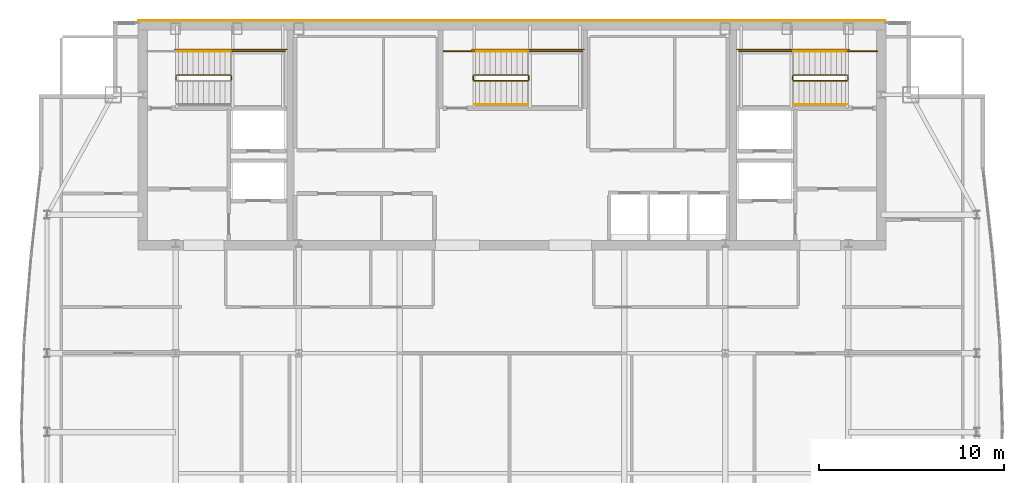
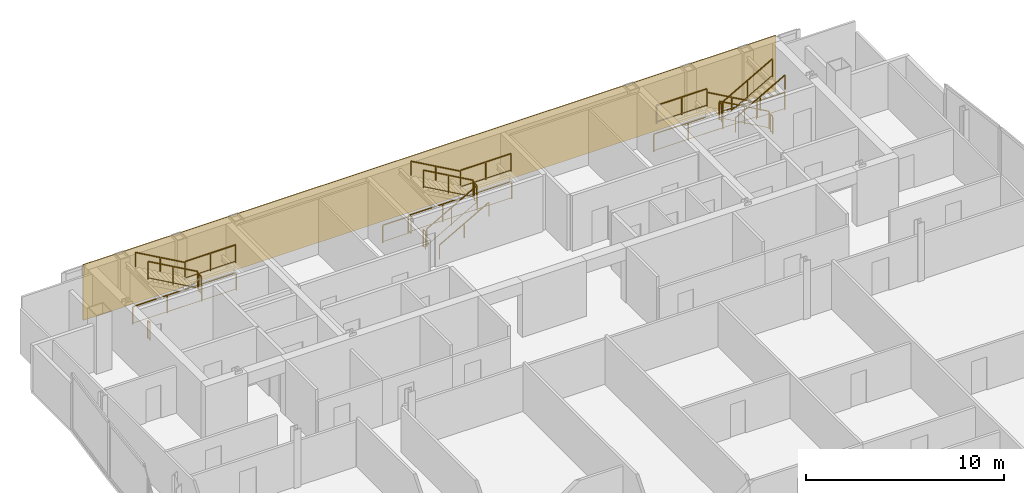
# One storey, part 25 of 25: 24 railings, 1 covering.
"""IFC4 building model written with IfcOpenShell, lengths in metres."""

from ifc_helpers import new_model, si_unit, direction, frame, origin, origin_2d, place, context, subcontext, project, spatial, polyline, rectangle, outline, extrude, material, layer, layer_set, type_object, element, save


model = new_model("IFC4")

# Units and contexts
model_context = context("Model", 3, precision=1e-05, world=origin(), true_north=direction((0.0, 1.0)))
body_context = subcontext(model_context, "Body", "Model", "MODEL_VIEW")
ifc_project = project(units=[si_unit("LENGTHUNIT", "METRE"), si_unit("AREAUNIT", "SQUARE_METRE"), si_unit("VOLUMEUNIT", "CUBIC_METRE"), si_unit("PLANEANGLEUNIT", "RADIAN"), si_unit("MASSUNIT", "GRAM", prefix="KILO")], contexts=[model_context])

# Site, building, storey
site_placement = place(None, origin())
site = spatial("IfcSite", under=ifc_project, at=site_placement, CompositionType="ELEMENT")
building_placement = place(site_placement, origin())
building = spatial("IfcBuilding", under=site, at=building_placement, Name="Khoronbel Lancet Exchange", CompositionType="ELEMENT")
storey_placement = place(building_placement, frame((0.0, 0.0, 295.0)))
storey = spatial("IfcBuildingStorey", under=building, at=storey_placement, Name="L76", CompositionType="ELEMENT", Elevation=295.0)

# Covering
ifc_material_1 = material(Name="Honed Egyptian Limestone & Bronze Rainscreen", Category="masonry")
ifc_layer = layer(ifc_material_1, 0.050048828125, Name="Honed Egyptian Limestone & Bronze Rainscreen")
ifc_layer_set = layer_set([ifc_layer], Name="Honed Egyptian Limestone & Bronze Rainscreen")
covering_type = type_object("IfcCoveringType", Name="COV-CLAD1", PredefinedType="CLADDING", material=ifc_layer_set)
covering_placement = place(storey_placement, origin())
element("IfcCovering", 1, at=covering_placement, inside=storey, type_object=covering_type, Name="Level L76 north rear-core stone and bronze rainscreen cladding", PredefinedType="CLADDING", context=body_context, shape_type="SweptSolid", body=[
    extrude(outline(polyline([(16.199951171875, 53.699951171875), (56.699951171875, 53.699951171875), (56.699951171875, 53.75), (16.199951171875, 53.75), (16.199951171875, 53.699951171875)])), origin(), (0.0, 0.0, 1.0), 3.43994140625),
])

# Railings
ifc_material_2 = material(Name="Painted Steel Balustrade", Category="steel")
railing_type_1 = type_object("IfcRailingType", Name="RL-STG110", PredefinedType="GUARDRAIL", material=ifc_material_2)
railing_1_placement = place(storey_placement, frame((21.25, 50.5, 1.800048828125)))
element("IfcRailing", 2, at=railing_1_placement, inside=storey, type_object=railing_type_1, Name="L76 ST1 stair guard 2", PredefinedType="GUARDRAIL", context=body_context, shape_type="SweptSolid", body=[
    extrude(rectangle(XDim=0.048095703125, YDim=0.048095703125, at=origin_2d()), frame((0.0, 0.0, 1.09619140625), z_axis=(0.0, 1.0, 0.0), x_axis=(-1.0, 0.0, 0.0)), (0.0, 0.0, 1.0), 0.219970703125),
    extrude(rectangle(XDim=0.02392578125, YDim=0.02392578125, at=origin_2d()), frame((0.0, 0.0, 0.080078125), z_axis=(0.0, 1.0, 0.0), x_axis=(-1.0, 0.0, 0.0)), (0.0, 0.0, 1.0), 0.219970703125),
    extrude(rectangle(XDim=0.0419921875, YDim=0.0419921875, at=origin_2d()), origin(), (0.0, 0.0, 1.0), 1.072021484375),
    extrude(rectangle(XDim=0.0419921875, YDim=0.0419921875, at=origin_2d()), frame((0.0, 0.219970703125, 0.0)), (0.0, 0.0, 1.0), 1.072021484375),
])
railing_2_placement = place(storey_placement, frame((21.199951171875, 52.050048828125, 1.800048828125)))
element("IfcRailing", 3, at=railing_2_placement, inside=storey, type_object=railing_type_1, Name="L76 ST1 stair guard 3", PredefinedType="GUARDRAIL", context=body_context, shape_type="SweptSolid", body=[
    extrude(rectangle(XDim=0.048095703125, YDim=0.048095703125, at=origin_2d()), frame((0.0, 0.0, 1.09619140625), z_axis=(1.0, 0.0, 0.0), x_axis=(0.0, 1.0, 0.0)), (0.0, 0.0, 1.0), 2.949951171875),
    extrude(rectangle(XDim=0.02392578125, YDim=0.02392578125, at=origin_2d()), frame((0.0, 0.0, 0.080078125), z_axis=(1.0, 0.0, 0.0), x_axis=(0.0, 1.0, 0.0)), (0.0, 0.0, 1.0), 2.949951171875),
    extrude(rectangle(XDim=0.0419921875, YDim=0.0419921875, at=origin_2d()), origin(), (0.0, 0.0, 1.0), 1.072021484375),
    extrude(rectangle(XDim=0.0419921875, YDim=0.0419921875, at=origin_2d()), frame((1.47509765625, 0.0, 0.0)), (0.0, 0.0, 1.0), 1.072021484375),
    extrude(rectangle(XDim=0.0419921875, YDim=0.0419921875, at=origin_2d()), frame((2.949951171875, 0.0, 0.0)), (0.0, 0.0, 1.0), 1.072021484375),
])
railing_3_placement = place(storey_placement, frame((21.199951171875, 50.77001953125, 1.963623046875)))
element("IfcRailing", 4, at=railing_3_placement, inside=storey, type_object=railing_type_1, Name="L76 ST1 stair guard 4", PredefinedType="GUARDRAIL", context=body_context, shape_type="SweptSolid", body=[
    extrude(rectangle(XDim=0.048095703125, YDim=0.048095703125, at=origin_2d()), frame((0.0, 0.0, 1.09619140625), z_axis=(-0.870897200241, 0.0, 0.491465224214), x_axis=(0.0, -1.0, 0.0)), (0.0, 0.0, 1.0), 3.329833984375),
    extrude(rectangle(XDim=0.02392578125, YDim=0.02392578125, at=origin_2d()), frame((0.0, 0.0, 0.080078125), z_axis=(-0.870897200241, 0.0, 0.491465224214), x_axis=(0.0, -1.0, 0.0)), (0.0, 0.0, 1.0), 3.329833984375),
    extrude(rectangle(XDim=0.0419921875, YDim=0.0419921875, at=origin_2d()), origin(), (0.0, 0.0, 1.0), 1.072021484375),
    extrude(rectangle(XDim=0.0419921875, YDim=0.0419921875, at=origin_2d()), frame((-1.449951171875, 0.0, 0.818359375)), (0.0, 0.0, 1.0), 1.072021484375),
    extrude(rectangle(XDim=0.0419921875, YDim=0.0419921875, at=origin_2d()), frame((-2.89990234375, 0.0, 1.636474609375)), (0.0, 0.0, 1.0), 1.072021484375),
])
railing_4_placement = place(storey_placement, frame((18.25, 50.5, 0.0)))
element("IfcRailing", 5, at=railing_4_placement, inside=storey, type_object=railing_type_1, Name="L76 ST1 stair guard 5", PredefinedType="GUARDRAIL", context=body_context, shape_type="SweptSolid", body=[
    extrude(rectangle(XDim=0.048095703125, YDim=0.048095703125, at=origin_2d()), frame((0.0, 0.0, 1.09619140625), z_axis=(0.0, 1.0, 0.0), x_axis=(-1.0, 0.0, 0.0)), (0.0, 0.0, 1.0), 0.219970703125),
    extrude(rectangle(XDim=0.02392578125, YDim=0.02392578125, at=origin_2d()), frame((0.0, 0.0, 0.080078125), z_axis=(0.0, 1.0, 0.0), x_axis=(-1.0, 0.0, 0.0)), (0.0, 0.0, 1.0), 0.219970703125),
    extrude(rectangle(XDim=0.0419921875, YDim=0.0419921875, at=origin_2d()), origin(), (0.0, 0.0, 1.0), 1.072021484375),
    extrude(rectangle(XDim=0.0419921875, YDim=0.0419921875, at=origin_2d()), frame((0.0, 0.219970703125, 0.0)), (0.0, 0.0, 1.0), 1.072021484375),
])
railing_5_placement = place(storey_placement, frame((18.199951171875, 52.14990234375, 0.0)))
element("IfcRailing", 6, at=railing_5_placement, inside=storey, type_object=railing_type_1, Name="L76 ST1 stair guard 7", PredefinedType="GUARDRAIL", context=body_context, shape_type="SweptSolid", body=[
    extrude(rectangle(XDim=0.048095703125, YDim=0.048095703125, at=origin_2d()), frame((0.0, 0.0, 1.09619140625), z_axis=(1.0, 0.0, 0.0), x_axis=(0.0, 1.0, 0.0)), (0.0, 0.0, 1.0), 6.050048828125),
    extrude(rectangle(XDim=0.02392578125, YDim=0.02392578125, at=origin_2d()), frame((0.0, 0.0, 0.080078125), z_axis=(1.0, 0.0, 0.0), x_axis=(0.0, 1.0, 0.0)), (0.0, 0.0, 1.0), 6.050048828125),
    extrude(rectangle(XDim=0.0419921875, YDim=0.0419921875, at=origin_2d()), origin(), (0.0, 0.0, 1.0), 1.072021484375),
    extrude(rectangle(XDim=0.0419921875, YDim=0.0419921875, at=origin_2d()), frame((2.0166015625, 0.0, 0.0)), (0.0, 0.0, 1.0), 1.072021484375),
    extrude(rectangle(XDim=0.0419921875, YDim=0.0419921875, at=origin_2d()), frame((4.033447265625, 0.0, 0.0)), (0.0, 0.0, 1.0), 1.072021484375),
    extrude(rectangle(XDim=0.0419921875, YDim=0.0419921875, at=origin_2d()), frame((6.050048828125, 0.0, 0.0)), (0.0, 0.0, 1.0), 1.072021484375),
])
railing_6_placement = place(storey_placement, frame((54.60009765625, 50.77001953125, 0.16357421875)))
element("IfcRailing", 7, at=railing_6_placement, inside=storey, type_object=railing_type_1, Name="L76 ST2 stair guard 1", PredefinedType="GUARDRAIL", context=body_context, shape_type="SweptSolid", body=[
    extrude(rectangle(XDim=0.048095703125, YDim=0.048095703125, at=origin_2d()), frame((0.0, 0.0, 1.09619140625), z_axis=(-0.870914908162, 0.0, 0.491433843708), x_axis=(0.0, -1.0, 0.0)), (0.0, 0.0, 1.0), 3.330078125),
    extrude(rectangle(XDim=0.02392578125, YDim=0.02392578125, at=origin_2d()), frame((0.0, 0.0, 0.080078125), z_axis=(-0.870914908162, 0.0, 0.491433843708), x_axis=(0.0, -1.0, 0.0)), (0.0, 0.0, 1.0), 3.330078125),
    extrude(rectangle(XDim=0.0419921875, YDim=0.0419921875, at=origin_2d()), origin(), (0.0, 0.0, 1.0), 1.072021484375),
    extrude(rectangle(XDim=0.0419921875, YDim=0.0419921875, at=origin_2d()), frame((-1.4501953125, 0.0, 0.818359375)), (0.0, 0.0, 1.0), 1.072021484375),
    extrude(rectangle(XDim=0.0419921875, YDim=0.0419921875, at=origin_2d()), frame((-2.900146484375, 0.0, 1.636474609375)), (0.0, 0.0, 1.0), 1.072021484375),
])
railing_7_placement = place(storey_placement, frame((51.64990234375, 50.719970703125, 1.800048828125)))
element("IfcRailing", 8, at=railing_7_placement, inside=storey, type_object=railing_type_1, Name="L76 ST2 stair guard 2", PredefinedType="GUARDRAIL", context=body_context, shape_type="SweptSolid", body=[
    extrude(rectangle(XDim=0.048095703125, YDim=0.048095703125, at=origin_2d()), frame((0.0, 0.0, 1.09619140625), z_axis=(0.0, -1.0, 0.0), x_axis=(1.0, 0.0, 0.0)), (0.0, 0.0, 1.0), 0.219970703125),
    extrude(rectangle(XDim=0.02392578125, YDim=0.02392578125, at=origin_2d()), frame((0.0, 0.0, 0.080078125), z_axis=(0.0, -1.0, 0.0), x_axis=(1.0, 0.0, 0.0)), (0.0, 0.0, 1.0), 0.219970703125),
    extrude(rectangle(XDim=0.0419921875, YDim=0.0419921875, at=origin_2d()), origin(), (0.0, 0.0, 1.0), 1.072021484375),
    extrude(rectangle(XDim=0.0419921875, YDim=0.0419921875, at=origin_2d()), frame((0.0, -0.219970703125, 0.0)), (0.0, 0.0, 1.0), 1.072021484375),
])
railing_8_placement = place(storey_placement, frame((51.699951171875, 52.050048828125, 1.800048828125)))
element("IfcRailing", 9, at=railing_8_placement, inside=storey, type_object=railing_type_1, Name="L76 ST2 stair guard 3", PredefinedType="GUARDRAIL", context=body_context, shape_type="SweptSolid", body=[
    extrude(rectangle(XDim=0.048095703125, YDim=0.048095703125, at=origin_2d()), frame((0.0, 0.0, 1.09619140625), z_axis=(-1.0, 0.0, 0.0), x_axis=(0.0, -1.0, 0.0)), (0.0, 0.0, 1.0), 2.949951171875),
    extrude(rectangle(XDim=0.02392578125, YDim=0.02392578125, at=origin_2d()), frame((0.0, 0.0, 0.080078125), z_axis=(-1.0, 0.0, 0.0), x_axis=(0.0, -1.0, 0.0)), (0.0, 0.0, 1.0), 2.949951171875),
    extrude(rectangle(XDim=0.0419921875, YDim=0.0419921875, at=origin_2d()), origin(), (0.0, 0.0, 1.0), 1.072021484375),
    extrude(rectangle(XDim=0.0419921875, YDim=0.0419921875, at=origin_2d()), frame((-1.47509765625, 0.0, 0.0)), (0.0, 0.0, 1.0), 1.072021484375),
    extrude(rectangle(XDim=0.0419921875, YDim=0.0419921875, at=origin_2d()), frame((-2.949951171875, 0.0, 0.0)), (0.0, 0.0, 1.0), 1.072021484375),
])
railing_9_placement = place(storey_placement, frame((51.699951171875, 50.449951171875, 1.963623046875)))
element("IfcRailing", 10, at=railing_9_placement, inside=storey, type_object=railing_type_1, Name="L76 ST2 stair guard 4", PredefinedType="GUARDRAIL", context=body_context, shape_type="SweptSolid", body=[
    extrude(rectangle(XDim=0.048095703125, YDim=0.048095703125, at=origin_2d()), frame((0.0, 0.0, 1.09619140625), z_axis=(0.870914908162, 0.0, 0.491433843708), x_axis=(0.0, 1.0, 0.0)), (0.0, 0.0, 1.0), 3.330078125),
    extrude(rectangle(XDim=0.02392578125, YDim=0.02392578125, at=origin_2d()), frame((0.0, 0.0, 0.080078125), z_axis=(0.870914908162, 0.0, 0.491433843708), x_axis=(0.0, 1.0, 0.0)), (0.0, 0.0, 1.0), 3.330078125),
    extrude(rectangle(XDim=0.0419921875, YDim=0.0419921875, at=origin_2d()), origin(), (0.0, 0.0, 1.0), 1.072021484375),
    extrude(rectangle(XDim=0.0419921875, YDim=0.0419921875, at=origin_2d()), frame((1.4501953125, 0.0, 0.818359375)), (0.0, 0.0, 1.0), 1.072021484375),
    extrude(rectangle(XDim=0.0419921875, YDim=0.0419921875, at=origin_2d()), frame((2.900146484375, 0.0, 1.636474609375)), (0.0, 0.0, 1.0), 1.072021484375),
])
railing_10_placement = place(storey_placement, frame((54.64990234375, 50.719970703125, 0.0)))
element("IfcRailing", 11, at=railing_10_placement, inside=storey, type_object=railing_type_1, Name="L76 ST2 stair guard 5", PredefinedType="GUARDRAIL", context=body_context, shape_type="SweptSolid", body=[
    extrude(rectangle(XDim=0.048095703125, YDim=0.048095703125, at=origin_2d()), frame((0.0, 0.0, 1.09619140625), z_axis=(0.0, -1.0, 0.0), x_axis=(1.0, 0.0, 0.0)), (0.0, 0.0, 1.0), 0.219970703125),
    extrude(rectangle(XDim=0.02392578125, YDim=0.02392578125, at=origin_2d()), frame((0.0, 0.0, 0.080078125), z_axis=(0.0, -1.0, 0.0), x_axis=(1.0, 0.0, 0.0)), (0.0, 0.0, 1.0), 0.219970703125),
    extrude(rectangle(XDim=0.0419921875, YDim=0.0419921875, at=origin_2d()), origin(), (0.0, 0.0, 1.0), 1.072021484375),
    extrude(rectangle(XDim=0.0419921875, YDim=0.0419921875, at=origin_2d()), frame((0.0, -0.219970703125, 0.0)), (0.0, 0.0, 1.0), 1.072021484375),
])
railing_11_placement = place(storey_placement, frame((56.25, 52.050048828125, 0.0)))
element("IfcRailing", 12, at=railing_11_placement, inside=storey, type_object=railing_type_1, Name="L76 ST2 stair guard 6", PredefinedType="GUARDRAIL", context=body_context, shape_type="SweptSolid", body=[
    extrude(rectangle(XDim=0.048095703125, YDim=0.048095703125, at=origin_2d()), frame((0.0, 0.0, 1.09619140625), z_axis=(-1.0, 0.0, 0.0), x_axis=(0.0, -1.0, 0.0)), (0.0, 0.0, 1.0), 1.64990234375),
    extrude(rectangle(XDim=0.02392578125, YDim=0.02392578125, at=origin_2d()), frame((0.0, 0.0, 0.080078125), z_axis=(-1.0, 0.0, 0.0), x_axis=(0.0, -1.0, 0.0)), (0.0, 0.0, 1.0), 1.64990234375),
    extrude(rectangle(XDim=0.0419921875, YDim=0.0419921875, at=origin_2d()), origin(), (0.0, 0.0, 1.0), 1.072021484375),
    extrude(rectangle(XDim=0.0419921875, YDim=0.0419921875, at=origin_2d()), frame((-1.64990234375, 0.0, 0.0)), (0.0, 0.0, 1.0), 1.072021484375),
])
railing_12_placement = place(storey_placement, frame((54.699951171875, 52.14990234375, 0.0)))
element("IfcRailing", 13, at=railing_12_placement, inside=storey, type_object=railing_type_1, Name="L76 ST2 stair guard 7", PredefinedType="GUARDRAIL", context=body_context, shape_type="SweptSolid", body=[
    extrude(rectangle(XDim=0.048095703125, YDim=0.048095703125, at=origin_2d()), frame((0.0, 0.0, 1.09619140625), z_axis=(-1.0, 0.0, 0.0), x_axis=(0.0, -1.0, 0.0)), (0.0, 0.0, 1.0), 6.050048828125),
    extrude(rectangle(XDim=0.02392578125, YDim=0.02392578125, at=origin_2d()), frame((0.0, 0.0, 0.080078125), z_axis=(-1.0, 0.0, 0.0), x_axis=(0.0, -1.0, 0.0)), (0.0, 0.0, 1.0), 6.050048828125),
    extrude(rectangle(XDim=0.0419921875, YDim=0.0419921875, at=origin_2d()), origin(), (0.0, 0.0, 1.0), 1.072021484375),
    extrude(rectangle(XDim=0.0419921875, YDim=0.0419921875, at=origin_2d()), frame((-2.0166015625, 0.0, 0.0)), (0.0, 0.0, 1.0), 1.072021484375),
    extrude(rectangle(XDim=0.0419921875, YDim=0.0419921875, at=origin_2d()), frame((-4.033447265625, 0.0, 0.0)), (0.0, 0.0, 1.0), 1.072021484375),
    extrude(rectangle(XDim=0.0419921875, YDim=0.0419921875, at=origin_2d()), frame((-6.050048828125, 0.0, 0.0)), (0.0, 0.0, 1.0), 1.072021484375),
])
railing_13_placement = place(storey_placement, frame((34.39990234375, 50.449951171875, 0.16357421875)))
element("IfcRailing", 14, at=railing_13_placement, inside=storey, type_object=railing_type_1, Name="L76 ST3 stair guard 1", PredefinedType="GUARDRAIL", context=body_context, shape_type="SweptSolid", body=[
    extrude(rectangle(XDim=0.048095703125, YDim=0.048095703125, at=origin_2d()), frame((0.0, 0.0, 1.09619140625), z_axis=(0.870914908162, 0.0, 0.491433843708), x_axis=(0.0, 1.0, 0.0)), (0.0, 0.0, 1.0), 3.330078125),
    extrude(rectangle(XDim=0.02392578125, YDim=0.02392578125, at=origin_2d()), frame((0.0, 0.0, 0.080078125), z_axis=(0.870914908162, 0.0, 0.491433843708), x_axis=(0.0, 1.0, 0.0)), (0.0, 0.0, 1.0), 3.330078125),
    extrude(rectangle(XDim=0.0419921875, YDim=0.0419921875, at=origin_2d()), origin(), (0.0, 0.0, 1.0), 1.072021484375),
    extrude(rectangle(XDim=0.0419921875, YDim=0.0419921875, at=origin_2d()), frame((1.4501953125, 0.0, 0.818359375)), (0.0, 0.0, 1.0), 1.072021484375),
    extrude(rectangle(XDim=0.0419921875, YDim=0.0419921875, at=origin_2d()), frame((2.900146484375, 0.0, 1.636474609375)), (0.0, 0.0, 1.0), 1.072021484375),
])
railing_14_placement = place(storey_placement, frame((37.35009765625, 50.5, 1.800048828125)))
element("IfcRailing", 15, at=railing_14_placement, inside=storey, type_object=railing_type_1, Name="L76 ST3 stair guard 2", PredefinedType="GUARDRAIL", context=body_context, shape_type="SweptSolid", body=[
    extrude(rectangle(XDim=0.048095703125, YDim=0.048095703125, at=origin_2d()), frame((0.0, 0.0, 1.09619140625), z_axis=(0.0, 1.0, 0.0), x_axis=(-1.0, 0.0, 0.0)), (0.0, 0.0, 1.0), 0.219970703125),
    extrude(rectangle(XDim=0.02392578125, YDim=0.02392578125, at=origin_2d()), frame((0.0, 0.0, 0.080078125), z_axis=(0.0, 1.0, 0.0), x_axis=(-1.0, 0.0, 0.0)), (0.0, 0.0, 1.0), 0.219970703125),
    extrude(rectangle(XDim=0.0419921875, YDim=0.0419921875, at=origin_2d()), origin(), (0.0, 0.0, 1.0), 1.072021484375),
    extrude(rectangle(XDim=0.0419921875, YDim=0.0419921875, at=origin_2d()), frame((0.0, 0.219970703125, 0.0)), (0.0, 0.0, 1.0), 1.072021484375),
])
railing_15_placement = place(storey_placement, frame((37.300048828125, 52.050048828125, 1.800048828125)))
element("IfcRailing", 16, at=railing_15_placement, inside=storey, type_object=railing_type_1, Name="L76 ST3 stair guard 3", PredefinedType="GUARDRAIL", context=body_context, shape_type="SweptSolid", body=[
    extrude(rectangle(XDim=0.048095703125, YDim=0.048095703125, at=origin_2d()), frame((0.0, 0.0, 1.09619140625), z_axis=(1.0, 0.0, 0.0), x_axis=(0.0, 1.0, 0.0)), (0.0, 0.0, 1.0), 2.949951171875),
    extrude(rectangle(XDim=0.02392578125, YDim=0.02392578125, at=origin_2d()), frame((0.0, 0.0, 0.080078125), z_axis=(1.0, 0.0, 0.0), x_axis=(0.0, 1.0, 0.0)), (0.0, 0.0, 1.0), 2.949951171875),
    extrude(rectangle(XDim=0.0419921875, YDim=0.0419921875, at=origin_2d()), origin(), (0.0, 0.0, 1.0), 1.072021484375),
    extrude(rectangle(XDim=0.0419921875, YDim=0.0419921875, at=origin_2d()), frame((1.47509765625, 0.0, 0.0)), (0.0, 0.0, 1.0), 1.072021484375),
    extrude(rectangle(XDim=0.0419921875, YDim=0.0419921875, at=origin_2d()), frame((2.949951171875, 0.0, 0.0)), (0.0, 0.0, 1.0), 1.072021484375),
])
railing_16_placement = place(storey_placement, frame((37.300048828125, 50.77001953125, 1.963623046875)))
element("IfcRailing", 17, at=railing_16_placement, inside=storey, type_object=railing_type_1, Name="L76 ST3 stair guard 4", PredefinedType="GUARDRAIL", context=body_context, shape_type="SweptSolid", body=[
    extrude(rectangle(XDim=0.048095703125, YDim=0.048095703125, at=origin_2d()), frame((0.0, 0.0, 1.09619140625), z_axis=(-0.870914908162, 0.0, 0.491433843708), x_axis=(0.0, -1.0, 0.0)), (0.0, 0.0, 1.0), 3.330078125),
    extrude(rectangle(XDim=0.02392578125, YDim=0.02392578125, at=origin_2d()), frame((0.0, 0.0, 0.080078125), z_axis=(-0.870914908162, 0.0, 0.491433843708), x_axis=(0.0, -1.0, 0.0)), (0.0, 0.0, 1.0), 3.330078125),
    extrude(rectangle(XDim=0.0419921875, YDim=0.0419921875, at=origin_2d()), origin(), (0.0, 0.0, 1.0), 1.072021484375),
    extrude(rectangle(XDim=0.0419921875, YDim=0.0419921875, at=origin_2d()), frame((-1.4501953125, 0.0, 0.818359375)), (0.0, 0.0, 1.0), 1.072021484375),
    extrude(rectangle(XDim=0.0419921875, YDim=0.0419921875, at=origin_2d()), frame((-2.900146484375, 0.0, 1.636474609375)), (0.0, 0.0, 1.0), 1.072021484375),
])
railing_17_placement = place(storey_placement, frame((34.35009765625, 50.5, 0.0)))
element("IfcRailing", 18, at=railing_17_placement, inside=storey, type_object=railing_type_1, Name="L76 ST3 stair guard 5", PredefinedType="GUARDRAIL", context=body_context, shape_type="SweptSolid", body=[
    extrude(rectangle(XDim=0.048095703125, YDim=0.048095703125, at=origin_2d()), frame((0.0, 0.0, 1.09619140625), z_axis=(0.0, 1.0, 0.0), x_axis=(-1.0, 0.0, 0.0)), (0.0, 0.0, 1.0), 0.219970703125),
    extrude(rectangle(XDim=0.02392578125, YDim=0.02392578125, at=origin_2d()), frame((0.0, 0.0, 0.080078125), z_axis=(0.0, 1.0, 0.0), x_axis=(-1.0, 0.0, 0.0)), (0.0, 0.0, 1.0), 0.219970703125),
    extrude(rectangle(XDim=0.0419921875, YDim=0.0419921875, at=origin_2d()), origin(), (0.0, 0.0, 1.0), 1.072021484375),
    extrude(rectangle(XDim=0.0419921875, YDim=0.0419921875, at=origin_2d()), frame((0.0, 0.219970703125, 0.0)), (0.0, 0.0, 1.0), 1.072021484375),
])
railing_18_placement = place(storey_placement, frame((32.75, 52.050048828125, 0.0)))
element("IfcRailing", 19, at=railing_18_placement, inside=storey, type_object=railing_type_1, Name="L76 ST3 stair guard 6", PredefinedType="GUARDRAIL", context=body_context, shape_type="SweptSolid", body=[
    extrude(rectangle(XDim=0.048095703125, YDim=0.048095703125, at=origin_2d()), frame((0.0, 0.0, 1.09619140625), z_axis=(1.0, 0.0, 0.0), x_axis=(0.0, 1.0, 0.0)), (0.0, 0.0, 1.0), 1.64990234375),
    extrude(rectangle(XDim=0.02392578125, YDim=0.02392578125, at=origin_2d()), frame((0.0, 0.0, 0.080078125), z_axis=(1.0, 0.0, 0.0), x_axis=(0.0, 1.0, 0.0)), (0.0, 0.0, 1.0), 1.64990234375),
    extrude(rectangle(XDim=0.0419921875, YDim=0.0419921875, at=origin_2d()), origin(), (0.0, 0.0, 1.0), 1.072021484375),
    extrude(rectangle(XDim=0.0419921875, YDim=0.0419921875, at=origin_2d()), frame((1.64990234375, 0.0, 0.0)), (0.0, 0.0, 1.0), 1.072021484375),
])
railing_19_placement = place(storey_placement, frame((34.300048828125, 52.14990234375, 0.0)))
element("IfcRailing", 20, at=railing_19_placement, inside=storey, type_object=railing_type_1, Name="L76 ST3 stair guard 7", PredefinedType="GUARDRAIL", context=body_context, shape_type="SweptSolid", body=[
    extrude(rectangle(XDim=0.048095703125, YDim=0.048095703125, at=origin_2d()), frame((0.0, 0.0, 1.09619140625), z_axis=(1.0, 0.0, 0.0), x_axis=(0.0, 1.0, 0.0)), (0.0, 0.0, 1.0), 6.050048828125),
    extrude(rectangle(XDim=0.02392578125, YDim=0.02392578125, at=origin_2d()), frame((0.0, 0.0, 0.080078125), z_axis=(1.0, 0.0, 0.0), x_axis=(0.0, 1.0, 0.0)), (0.0, 0.0, 1.0), 6.050048828125),
    extrude(rectangle(XDim=0.0419921875, YDim=0.0419921875, at=origin_2d()), origin(), (0.0, 0.0, 1.0), 1.072021484375),
    extrude(rectangle(XDim=0.0419921875, YDim=0.0419921875, at=origin_2d()), frame((2.0166015625, 0.0, 0.0)), (0.0, 0.0, 1.0), 1.072021484375),
    extrude(rectangle(XDim=0.0419921875, YDim=0.0419921875, at=origin_2d()), frame((4.033447265625, 0.0, 0.0)), (0.0, 0.0, 1.0), 1.072021484375),
    extrude(rectangle(XDim=0.0419921875, YDim=0.0419921875, at=origin_2d()), frame((6.050048828125, 0.0, 0.0)), (0.0, 0.0, 1.0), 1.072021484375),
])
ifc_material_3 = material(Name="Brushed Stainless Steel 316", Category="steel")
railing_type_2 = type_object("IfcRailingType", Name="RL-STH92", PredefinedType="HANDRAIL", material=ifc_material_3)
railing_20_placement = place(storey_placement, frame((21.199951171875, 52.050048828125, 1.963623046875)))
element("IfcRailing", 21, at=railing_20_placement, inside=storey, type_object=railing_type_2, Name="L76 ST1 stair handrail 2", PredefinedType="HANDRAIL", context=body_context, shape_type="SweptSolid", body=[
    extrude(rectangle(XDim=0.048095703125, YDim=0.048095703125, at=origin_2d()), frame((0.0, 0.0, 0.8759765625), z_axis=(-0.870897200241, 0.0, 0.491465224214), x_axis=(0.0, -1.0, 0.0)), (0.0, 0.0, 1.0), 3.329833984375),
    extrude(rectangle(XDim=0.0419921875, YDim=0.0419921875, at=origin_2d()), origin(), (0.0, 0.0, 1.0), 0.851806640625),
    extrude(rectangle(XDim=0.0419921875, YDim=0.0419921875, at=origin_2d()), frame((-1.449951171875, 0.0, 0.818359375)), (0.0, 0.0, 1.0), 0.851806640625),
    extrude(rectangle(XDim=0.0419921875, YDim=0.0419921875, at=origin_2d()), frame((-2.89990234375, 0.0, 1.636474609375)), (0.0, 0.0, 1.0), 0.851806640625),
])
railing_21_placement = place(storey_placement, frame((54.60009765625, 52.050048828125, 0.16357421875)))
element("IfcRailing", 22, at=railing_21_placement, inside=storey, type_object=railing_type_2, Name="L76 ST2 stair handrail 1", PredefinedType="HANDRAIL", context=body_context, shape_type="SweptSolid", body=[
    extrude(rectangle(XDim=0.048095703125, YDim=0.048095703125, at=origin_2d()), frame((0.0, 0.0, 0.8759765625), z_axis=(-0.870914908162, 0.0, 0.491433843708), x_axis=(0.0, -1.0, 0.0)), (0.0, 0.0, 1.0), 3.330078125),
    extrude(rectangle(XDim=0.0419921875, YDim=0.0419921875, at=origin_2d()), origin(), (0.0, 0.0, 1.0), 0.851806640625),
    extrude(rectangle(XDim=0.0419921875, YDim=0.0419921875, at=origin_2d()), frame((-1.4501953125, 0.0, 0.818359375)), (0.0, 0.0, 1.0), 0.851806640625),
    extrude(rectangle(XDim=0.0419921875, YDim=0.0419921875, at=origin_2d()), frame((-2.900146484375, 0.0, 1.636474609375)), (0.0, 0.0, 1.0), 0.851806640625),
])
for number, where, name in (
    (23, (51.699951171875, 49.169921875, 1.963623046875), "L76 ST2 stair handrail 2"),
    (24, (34.39990234375, 49.169921875, 0.16357421875), "L76 ST3 stair handrail 1"),
):
    element("IfcRailing", number, at=place(storey_placement, frame(where)), inside=storey, type_object=railing_type_2, Name=name, PredefinedType="HANDRAIL", context=body_context, shape_type="SweptSolid", body=[
        extrude(rectangle(XDim=0.048095703125, YDim=0.048095703125, at=origin_2d()), frame((0.0, 0.0, 0.8759765625), z_axis=(0.870914908162, 0.0, 0.491433843708), x_axis=(0.0, 1.0, 0.0)), (0.0, 0.0, 1.0), 3.330078125),
        extrude(rectangle(XDim=0.0419921875, YDim=0.0419921875, at=origin_2d()), origin(), (0.0, 0.0, 1.0), 0.851806640625),
        extrude(rectangle(XDim=0.0419921875, YDim=0.0419921875, at=origin_2d()), frame((1.4501953125, 0.0, 0.818359375)), (0.0, 0.0, 1.0), 0.851806640625),
        extrude(rectangle(XDim=0.0419921875, YDim=0.0419921875, at=origin_2d()), frame((2.900146484375, 0.0, 1.636474609375)), (0.0, 0.0, 1.0), 0.851806640625),
    ])
railing_22_placement = place(storey_placement, frame((37.300048828125, 52.050048828125, 1.963623046875)))
element("IfcRailing", 25, at=railing_22_placement, inside=storey, type_object=railing_type_2, Name="L76 ST3 stair handrail 2", PredefinedType="HANDRAIL", context=body_context, shape_type="SweptSolid", body=[
    extrude(rectangle(XDim=0.048095703125, YDim=0.048095703125, at=origin_2d()), frame((0.0, 0.0, 0.8759765625), z_axis=(-0.870914908162, 0.0, 0.491433843708), x_axis=(0.0, -1.0, 0.0)), (0.0, 0.0, 1.0), 3.330078125),
    extrude(rectangle(XDim=0.0419921875, YDim=0.0419921875, at=origin_2d()), origin(), (0.0, 0.0, 1.0), 0.851806640625),
    extrude(rectangle(XDim=0.0419921875, YDim=0.0419921875, at=origin_2d()), frame((-1.4501953125, 0.0, 0.818359375)), (0.0, 0.0, 1.0), 0.851806640625),
    extrude(rectangle(XDim=0.0419921875, YDim=0.0419921875, at=origin_2d()), frame((-2.900146484375, 0.0, 1.636474609375)), (0.0, 0.0, 1.0), 0.851806640625),
])

save(model, "model.ifc")
